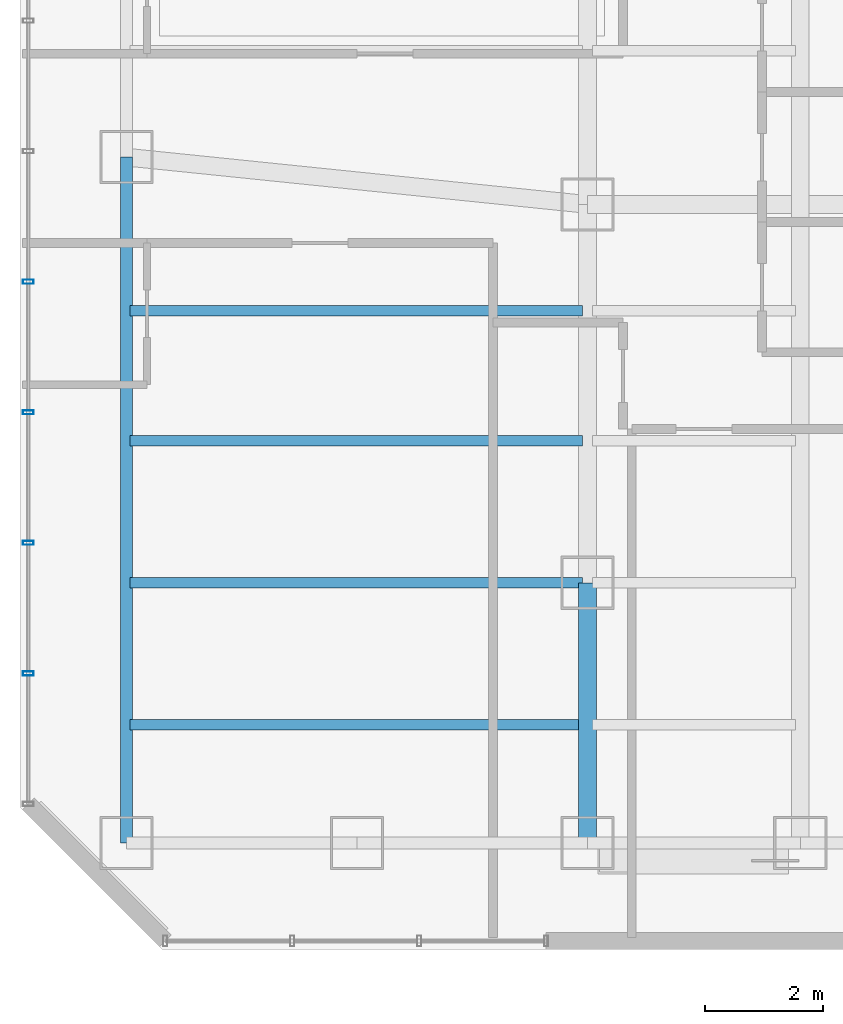
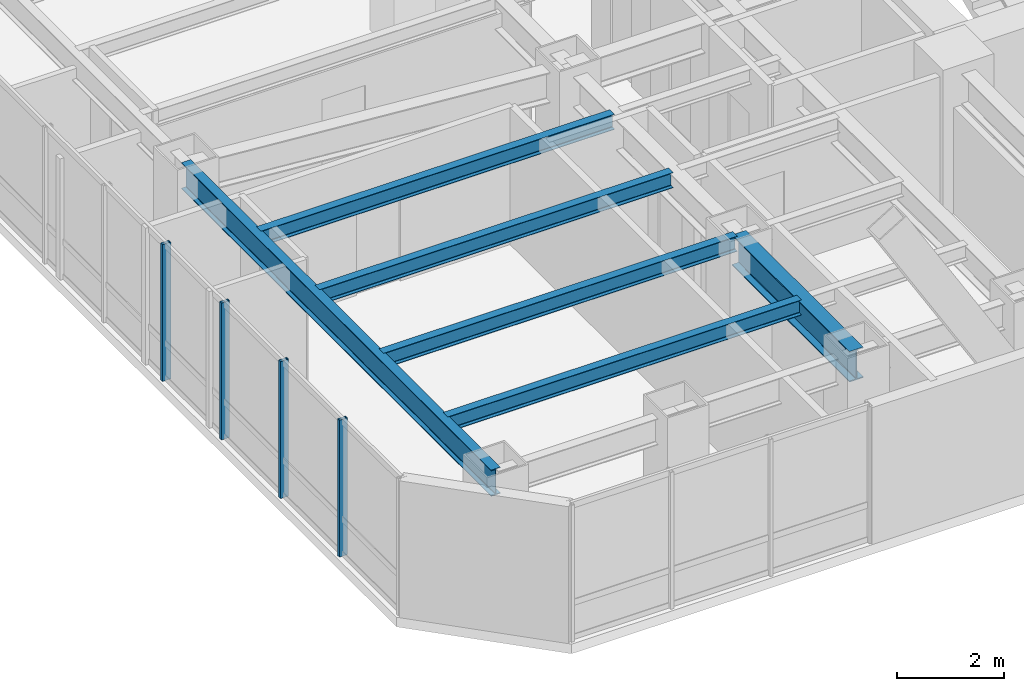
# One storey, part 4 of 31: 6 beams, 4 members, 1 element without a shape of its own.
"""IFC4 building model written with IfcOpenShell, lengths in metres."""

from ifc_helpers import new_model, si_unit, direction, frame, origin, origin_2d, place, context, subcontext, project, spatial, hollow_rectangle, i_section, extrude, material, layer, layer_set, material_profile, profile_set, type_object, element, aggregate, save


model = new_model("IFC4")

# Units and contexts
model_context = context("Model", 3, precision=1e-05, world=origin(), true_north=direction((0.0, 1.0)))
body_context = subcontext(model_context, "Body", "Model", "MODEL_VIEW")
ifc_project = project(units=[si_unit("LENGTHUNIT", "METRE"), si_unit("AREAUNIT", "SQUARE_METRE"), si_unit("VOLUMEUNIT", "CUBIC_METRE"), si_unit("PLANEANGLEUNIT", "RADIAN"), si_unit("MASSUNIT", "GRAM", prefix="KILO")], contexts=[model_context])

# Site, building, storey
site_placement = place(None, origin())
site = spatial("IfcSite", under=ifc_project, at=site_placement, CompositionType="ELEMENT")
building_placement = place(site_placement, origin())
building = spatial("IfcBuilding", under=site, at=building_placement, Name="Hatsunagi Terrace Concourse", CompositionType="ELEMENT")
storey_placement = place(building_placement, frame((0.0, 0.0, 77.949951171875)))
storey = spatial("IfcBuildingStorey", under=building, at=storey_placement, Name="L20", CompositionType="ELEMENT", Elevation=77.949951171875)

# Curtain wall, members
ifc_material_1 = material(Name="Anodised Aluminium Alloy 6063-T5", Category="aluminium")
ifc_layer = layer(ifc_material_1, 0.199951171875)
ifc_layer_set = layer_set([ifc_layer], Name="HotelFacade_CW02")
curtain_wall_type = type_object("IfcCurtainWallType", Name="HotelFacade_CW02", PredefinedType="NOTDEFINED", material=ifc_layer_set)
curtain_wall_placement = place(storey_placement, origin())
curtain_wall = element("IfcCurtainWall", 1, at=curtain_wall_placement, inside=storey, type_object=curtain_wall_type, Name="Unitised Curtain Wall CW-02 CW-L20-09", PredefinedType="NOTDEFINED")
ifc_material_2 = material(Name="Anodised Aluminium Alloy 6063-T5", Category="aluminium")
ifc_material_profile_1 = material_profile(ifc_material_2, hollow_rectangle(XDim=0.070068359375, YDim=0.179931640625, WallThickness=0.00390625, at=origin_2d()), Name="ALU-MUL-180x70x4")
ifc_profile_set_1 = profile_set([ifc_material_profile_1], Name="Anodised Aluminium Alloy 6063-T5")
member_type = type_object("IfcMemberType", Name="CurtainWallMullion_180x70", PredefinedType="MULLION", material=ifc_profile_set_1)
member_1_placement = place(storey_placement, frame((9.739990234375, 28.06591796875, 0.0), z_axis=(0.0, 0.0, 1.0), x_axis=(0.0, 1.0, 0.0)))
member_1 = element("IfcMember", 2, at=member_1_placement, type_object=member_type, Name="Curtain Wall Mullion MUL-02", PredefinedType="MULLION", context=body_context, shape_type="SweptSolid", body=[
    extrude(hollow_rectangle(XDim=0.070068359375, YDim=0.179931640625, WallThickness=0.00390625, at=origin_2d()), origin(), (0.0, 0.0, 1.0), 3.130126953125),
])
member_2_placement = place(storey_placement, frame((9.739990234375, 30.27490234375, 0.0), z_axis=(0.0, 0.0, 1.0), x_axis=(0.0, 1.0, 0.0)))
member_2 = element("IfcMember", 3, at=member_2_placement, type_object=member_type, Name="Curtain Wall Mullion MUL-02", PredefinedType="MULLION", context=body_context, shape_type="SweptSolid", body=[
    extrude(hollow_rectangle(XDim=0.070068359375, YDim=0.179931640625, WallThickness=0.00390625, at=origin_2d()), origin(), (0.0, 0.0, 1.0), 3.130126953125),
])
member_3_placement = place(storey_placement, frame((9.739990234375, 32.48291015625, 0.0), z_axis=(0.0, 0.0, 1.0), x_axis=(0.0, 1.0, 0.0)))
member_3 = element("IfcMember", 4, at=member_3_placement, type_object=member_type, Name="Curtain Wall Mullion MUL-02", PredefinedType="MULLION", context=body_context, shape_type="SweptSolid", body=[
    extrude(hollow_rectangle(XDim=0.070068359375, YDim=0.179931640625, WallThickness=0.00390625, at=origin_2d()), origin(), (0.0, 0.0, 1.0), 3.130126953125),
])
member_4_placement = place(storey_placement, frame((9.739990234375, 34.69189453125, 0.0), z_axis=(0.0, 0.0, 1.0), x_axis=(0.0, 1.0, 0.0)))
member_4 = element("IfcMember", 5, at=member_4_placement, type_object=member_type, Name="Curtain Wall Mullion MUL-02", PredefinedType="MULLION", context=body_context, shape_type="SweptSolid", body=[
    extrude(hollow_rectangle(XDim=0.070068359375, YDim=0.179931640625, WallThickness=0.00390625, at=origin_2d()), origin(), (0.0, 0.0, 1.0), 3.130126953125),
])
aggregate(curtain_wall, [member_1, member_2, member_3, member_4])

# Beams
ifc_material_3 = material(Name="Steel SN490B", Category="steel")
ifc_material_profile_2 = material_profile(ifc_material_3, i_section(OverallWidth=0.300048828125, OverallDepth=0.699951171875, WebThickness=0.012939453125, FlangeThickness=0.02392578125, FilletRadius=0.02197265625, at=origin_2d()), Name="H-700x300x13x24")
ifc_profile_set_2 = profile_set([ifc_material_profile_2], Name="Steel SN490B")
beam_type_1 = type_object("IfcBeamType", Name="HotelFloorGirder_H_700x300", PredefinedType="BEAM", material=ifc_profile_set_2)
beam_1_placement = place(storey_placement, frame((19.199951171875, 25.199951171875, 2.780029296875), z_axis=(0.0, 1.0, 0.0), x_axis=(-1.0, 0.0, 0.0)))
element("IfcBeam", 6, at=beam_1_placement, inside=storey, type_object=beam_type_1, Name="Beam G-04 BM-L20-NS-19-25", PredefinedType="BEAM", context=body_context, shape_type="SweptSolid", body=[
    extrude(i_section(OverallWidth=0.300048828125, OverallDepth=0.699951171875, WebThickness=0.012939453125, FlangeThickness=0.02392578125, FilletRadius=0.02197265625, at=origin_2d()), origin(), (0.0, 0.0, 1.0), 4.400146484375),
])
ifc_material_4 = material(Name="Steel SN490B", Category="steel")
ifc_material_profile_3 = material_profile(ifc_material_4, i_section(OverallWidth=0.175048828125, OverallDepth=0.35009765625, WebThickness=0.007080078125, FlangeThickness=0.010986328125, FilletRadius=0.012939453125, at=origin_2d()), Name="H-350x175x7x11")
ifc_profile_set_3 = profile_set([ifc_material_profile_3], Name="Steel SN490B")
beam_type_2 = type_object("IfcBeamType", Name="HotelJoist_H_350x175", PredefinedType="JOIST", material=ifc_profile_set_3)
for number, where, z_axis, x_axis, name in (
    (7, (11.465087890625, 27.199951171875, 2.955078125), (1.0, 0.0, 0.0), (0.0, 1.0, 0.0), "Beam J-02 J-L20-W-11-272"),
    (8, (11.465087890625, 29.60009765625, 2.955078125), (1.0, 0.0, 0.0), (0.0, 1.0, 0.0), "Beam J-02 J-L20-W-11-296"),
    (9, (11.465087890625, 32.0, 2.955078125), (1.0, 0.0, 0.0), (0.0, 1.0, 0.0), "Beam J-02 J-L20-W-11-320"),
    (10, (11.465087890625, 34.199951171875, 2.955078125), (1.0, 0.0, 0.0), (0.0, 1.0, 0.0), "Beam J-02 J-L20-W-11-342"),
):
    element("IfcBeam", number, at=place(storey_placement, frame(where, z_axis=z_axis, x_axis=x_axis)), inside=storey, type_object=beam_type_2, Name=name, PredefinedType="JOIST", context=body_context, shape_type="SweptSolid", body=[
        extrude(i_section(OverallWidth=0.175048828125, OverallDepth=0.35009765625, WebThickness=0.007080078125, FlangeThickness=0.010986328125, FilletRadius=0.012939453125, at=origin_2d()), origin(), (0.0, 0.0, 1.0), 7.64990234375),
    ])
ifc_material_5 = material(Name="Steel SN490B", Category="steel")
ifc_material_profile_4 = material_profile(ifc_material_5, i_section(OverallWidth=0.199951171875, OverallDepth=0.60009765625, WebThickness=0.010986328125, FlangeThickness=0.01708984375, FilletRadius=0.01806640625, at=origin_2d()), Name="H-600x200x11x17")
ifc_profile_set_4 = profile_set([ifc_material_profile_4], Name="Steel SN490B")
beam_type_3 = type_object("IfcBeamType", Name="PerimeterSpandrel_H_600x200", PredefinedType="SPANDREL", material=ifc_profile_set_4)
beam_2_placement = place(storey_placement, frame((11.39990234375, 25.199951171875, 2.830078125), z_axis=(0.0, 1.0, 0.0), x_axis=(-1.0, 0.0, 0.0)))
element("IfcBeam", 11, at=beam_2_placement, inside=storey, type_object=beam_type_3, Name="Beam SP-01 BM-L20-NS-11-25", PredefinedType="SPANDREL", context=body_context, shape_type="SweptSolid", body=[
    extrude(i_section(OverallWidth=0.199951171875, OverallDepth=0.60009765625, WebThickness=0.010986328125, FlangeThickness=0.01708984375, FilletRadius=0.01806640625, at=origin_2d()), origin(), (0.0, 0.0, 1.0), 11.60009765625),
])

save(model, "model.ifc")
